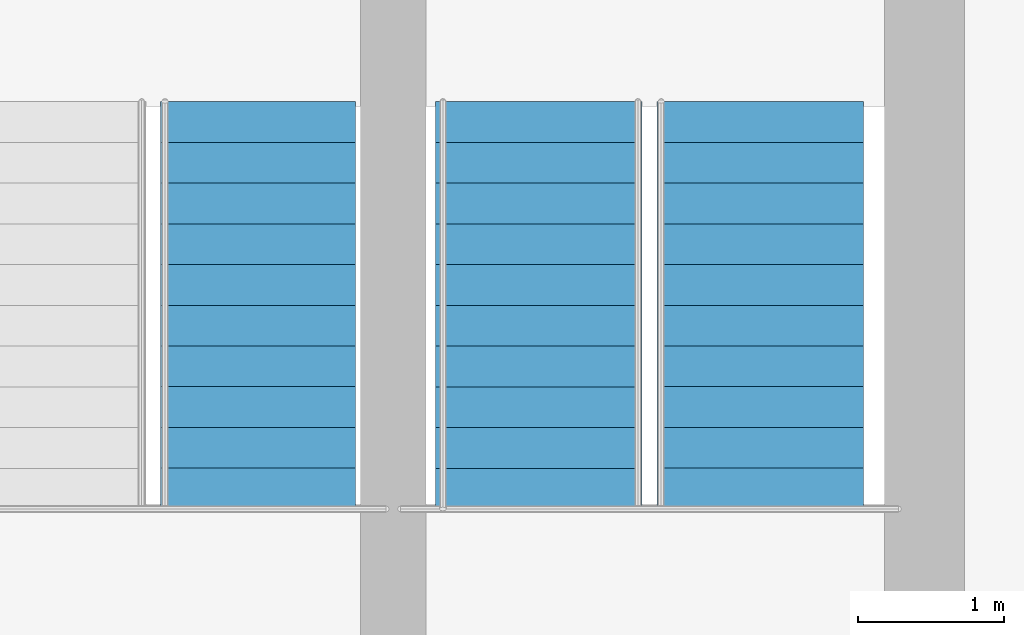
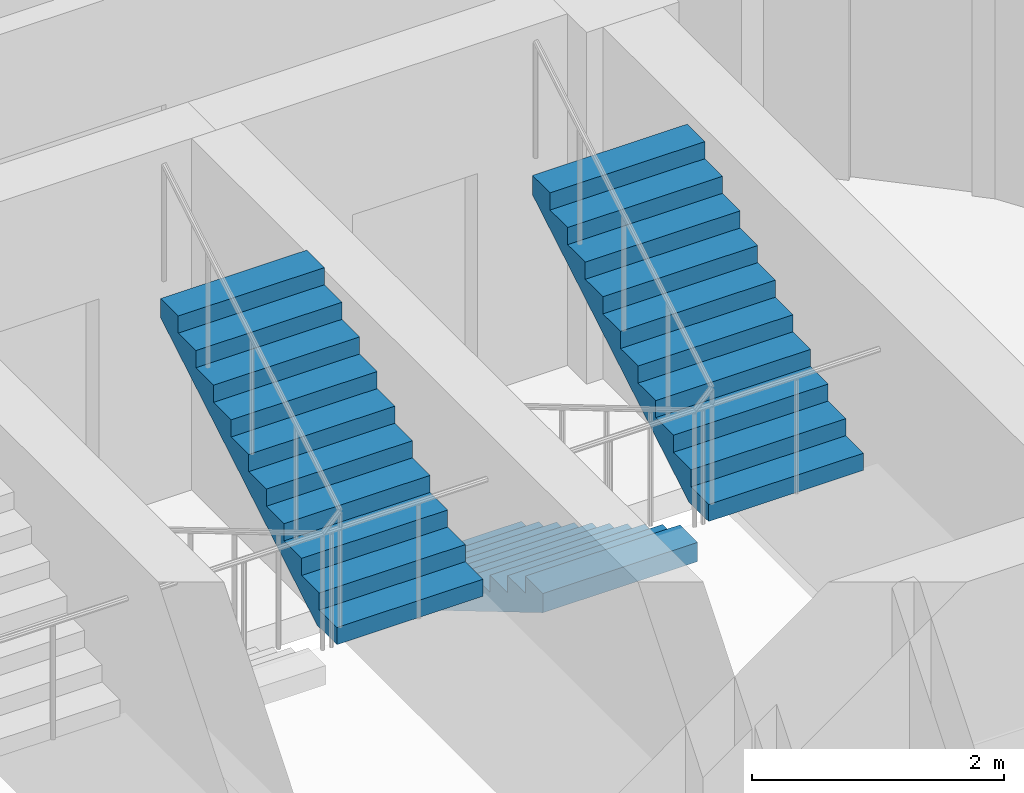
# One storey, part 26 of 27: 3 stair flights, 2 elements without a shape of their own.
"""IFC4 building model written with IfcOpenShell, lengths in metres."""

from ifc_helpers import new_model, si_unit, direction, frame, origin, place, context, subcontext, project, spatial, polyline, outline, extrude, material, type_object, element, aggregate, save


model = new_model("IFC4")

# Units and contexts
model_context = context("Model", 3, precision=1e-05, world=origin(), true_north=direction((0.0, 1.0)))
body_context = subcontext(model_context, "Body", "Model", "MODEL_VIEW")
ifc_project = project(units=[si_unit("LENGTHUNIT", "METRE"), si_unit("AREAUNIT", "SQUARE_METRE"), si_unit("VOLUMEUNIT", "CUBIC_METRE"), si_unit("PLANEANGLEUNIT", "RADIAN"), si_unit("MASSUNIT", "GRAM", prefix="KILO")], contexts=[model_context])

# Site, building, storey
site_placement = place(None, origin())
site = spatial("IfcSite", under=ifc_project, at=site_placement, CompositionType="ELEMENT")
building_placement = place(site_placement, origin())
building = spatial("IfcBuilding", under=site, at=building_placement, Name="Nuhasar Tower", CompositionType="ELEMENT")
storey_placement = place(building_placement, frame((0.0, 0.0, 211.800048828125)))
storey = spatial("IfcBuildingStorey", under=building, at=storey_placement, Name="L51", CompositionType="ELEMENT", Elevation=211.800048828125)

# Stair, stair flights
ifc_material = material(Name="Concrete C45/55", Category="concrete")
stair_type_1 = type_object("IfcStairType", Name="STR-ST-02-2F-22R-1659", PredefinedType="HALF_TURN_STAIR", material=ifc_material)
stair_1_placement = place(storey_placement, origin())
stair_1 = element("IfcStair", 1, at=stair_1_placement, inside=storey, type_object=stair_type_1, Name="L51 Exit Stair ST-02", PredefinedType="HALF_TURN_STAIR")
stair_flight_type_1 = type_object("IfcStairFlightType", Name="SFL-ST-02-11R-1659", PredefinedType="STRAIGHT", material=ifc_material)
stair_flight_1_placement = place(storey_placement, frame((41.64990234375, 35.284912109375, 0.0), z_axis=(0.0, 0.0, 1.0), x_axis=(0.0, -1.0, 0.0)))
stair_flight_1 = element("IfcStairFlight", 2, at=stair_flight_1_placement, type_object=stair_flight_type_1, Name="ST-02 flight 1", NumberOfRisers=11, NumberOfTreads=10, PredefinedType="STRAIGHT", RiserHeight=0.165909, TreadLength=0.28, context=body_context, shape_type="SweptSolid", body=[
    extrude(outline(polyline([(0.0, 0.0), (0.0, 0.166015625), (0.280029296875, 0.166015625), (0.280029296875, 0.331787109375), (0.56005859375, 0.331787109375), (0.56005859375, 0.497802734375), (0.840087890625, 0.497802734375), (0.840087890625, 0.66357421875), (1.1201171875, 0.66357421875), (1.1201171875, 0.82958984375), (1.39990234375, 0.82958984375), (1.39990234375, 0.995361328125), (1.679931640625, 0.995361328125), (1.679931640625, 1.161376953125), (1.9599609375, 1.161376953125), (1.9599609375, 1.327392578125), (2.239990234375, 1.327392578125), (2.239990234375, 1.4931640625), (2.52001953125, 1.4931640625), (2.52001953125, 1.6591796875), (2.800048828125, 1.6591796875), (2.800048828125, 1.824951171875), (2.800048828125, 1.47314453125), (0.313720703125, 0.0), (0.0, 0.0)])), frame((0.0, 0.7099609375, 0.0), z_axis=(0.0, -1.0, 0.0), x_axis=(1.0, 0.0, 0.0)), (0.0, 0.0, 1.0), 1.419921875),
])
stair_flight_2_placement = place(storey_placement, frame((43.169921875, 32.485107421875, 1.824951171875), z_axis=(0.0, 0.0, 1.0), x_axis=(0.0, 1.0, 0.0)))
stair_flight_2 = element("IfcStairFlight", 3, at=stair_flight_2_placement, type_object=stair_flight_type_1, Name="ST-02 flight 2", NumberOfRisers=11, NumberOfTreads=10, PredefinedType="STRAIGHT", RiserHeight=0.165909, TreadLength=0.28, context=body_context, shape_type="SweptSolid", body=[
    extrude(outline(polyline([(0.0, 0.0), (0.0, 0.166015625), (0.280029296875, 0.166015625), (0.280029296875, 0.331787109375), (0.56005859375, 0.331787109375), (0.56005859375, 0.497802734375), (0.840087890625, 0.497802734375), (0.840087890625, 0.66357421875), (1.1201171875, 0.66357421875), (1.1201171875, 0.82958984375), (1.39990234375, 0.82958984375), (1.39990234375, 0.995361328125), (1.679931640625, 0.995361328125), (1.679931640625, 1.161376953125), (1.9599609375, 1.161376953125), (1.9599609375, 1.327392578125), (2.239990234375, 1.327392578125), (2.239990234375, 1.4931640625), (2.52001953125, 1.4931640625), (2.52001953125, 1.6591796875), (2.800048828125, 1.6591796875), (2.800048828125, 1.824951171875), (2.800048828125, 1.47314453125), (0.313720703125, 0.0), (0.0, 0.0)])), frame((0.0, 0.7099609375, 0.0), z_axis=(0.0, -1.0, 0.0), x_axis=(1.0, 0.0, 0.0)), (0.0, 0.0, 1.0), 1.419921875),
])
aggregate(stair_1, [stair_flight_1, stair_flight_2])

# Stair, stair flight
stair_type_2 = type_object("IfcStairType", Name="STR-ST-03-2F-22R-1659", PredefinedType="HALF_TURN_STAIR", material=ifc_material)
stair_2_placement = place(storey_placement, origin())
stair_2 = element("IfcStair", 4, at=stair_2_placement, inside=storey, type_object=stair_type_2, Name="L51 Exit Stair ST-03", PredefinedType="HALF_TURN_STAIR")
stair_flight_type_2 = type_object("IfcStairFlightType", Name="SFL-ST-03-11R-1659", PredefinedType="STRAIGHT", material=ifc_material)
stair_flight_3_placement = place(storey_placement, frame((39.719970703125, 32.485107421875, 1.824951171875), z_axis=(0.0, 0.0, 1.0), x_axis=(0.0, 1.0, 0.0)))
stair_flight_3 = element("IfcStairFlight", 5, at=stair_flight_3_placement, type_object=stair_flight_type_2, Name="ST-03 flight 2", NumberOfRisers=11, NumberOfTreads=10, PredefinedType="STRAIGHT", RiserHeight=0.165909, TreadLength=0.28, context=body_context, shape_type="SweptSolid", body=[
    extrude(outline(polyline([(0.0, 0.0), (0.0, 0.166015625), (0.280029296875, 0.166015625), (0.280029296875, 0.331787109375), (0.56005859375, 0.331787109375), (0.56005859375, 0.497802734375), (0.840087890625, 0.497802734375), (0.840087890625, 0.66357421875), (1.1201171875, 0.66357421875), (1.1201171875, 0.82958984375), (1.39990234375, 0.82958984375), (1.39990234375, 0.995361328125), (1.679931640625, 0.995361328125), (1.679931640625, 1.161376953125), (1.9599609375, 1.161376953125), (1.9599609375, 1.327392578125), (2.239990234375, 1.327392578125), (2.239990234375, 1.4931640625), (2.52001953125, 1.4931640625), (2.52001953125, 1.6591796875), (2.800048828125, 1.6591796875), (2.800048828125, 1.824951171875), (2.800048828125, 1.47314453125), (0.313720703125, 0.0), (0.0, 0.0)])), frame((0.0, 0.669921875, 0.0), z_axis=(0.0, -1.0, 0.0), x_axis=(1.0, 0.0, 0.0)), (0.0, 0.0, 1.0), 1.340087890625),
])
aggregate(stair_2, [stair_flight_3])

save(model, "model.ifc")
